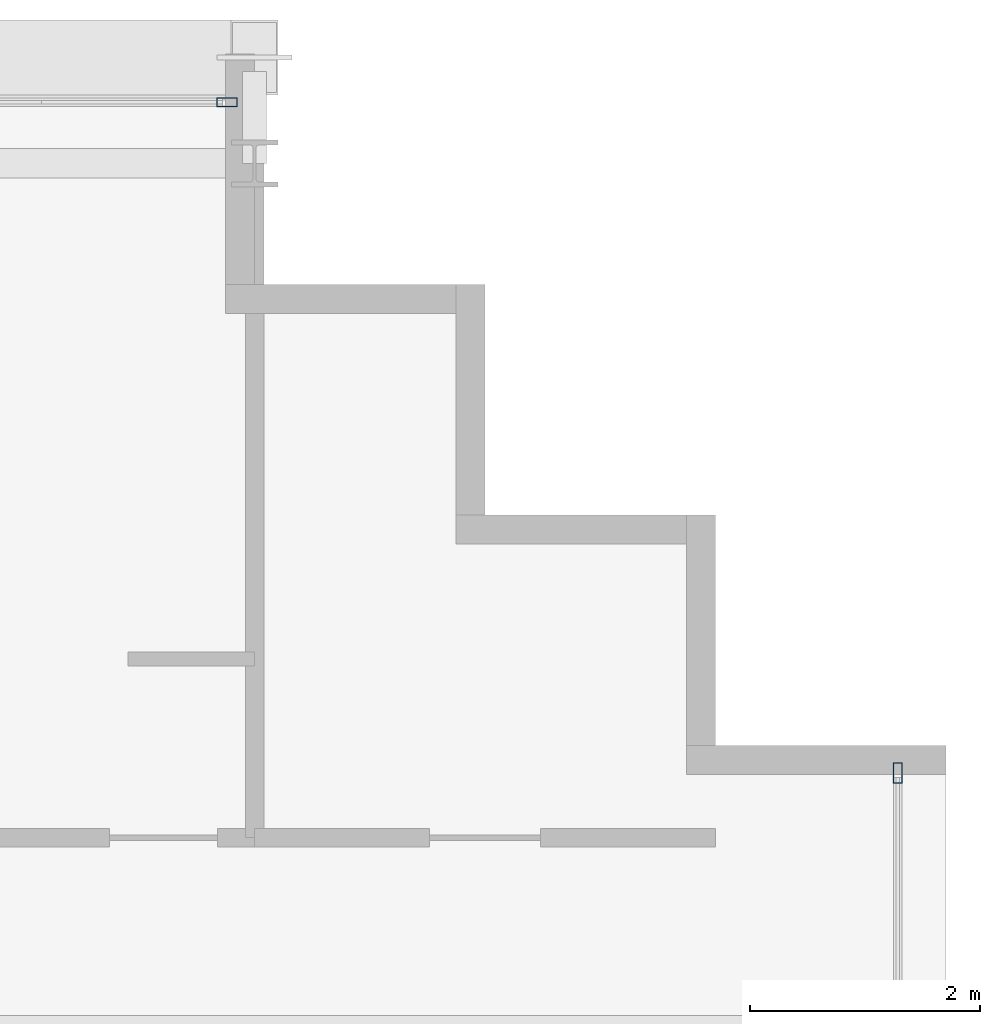
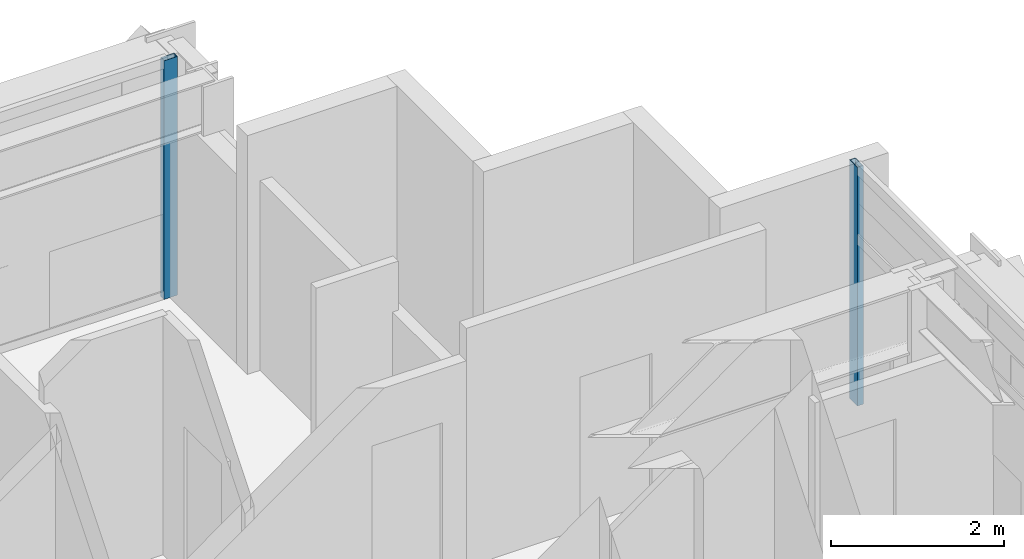
# One storey, part 23 of 38: 2 members, 2 elements without a shape of their own.
"""IFC4 building model written with IfcOpenShell, lengths in metres."""

from ifc_helpers import new_model, si_unit, direction, frame, origin, origin_2d, place, context, subcontext, project, spatial, hollow_rectangle, extrude, source, transform, mapped, material, layer, layer_set, material_profile, profile_set, type_object, element, aggregate, save


model = new_model("IFC4")

# Units and contexts
model_context = context("Model", 3, precision=1e-05, world=origin(), true_north=direction((0.0, 1.0)))
body_context = subcontext(model_context, "Body", "Model", "MODEL_VIEW")
ifc_project = project(units=[si_unit("LENGTHUNIT", "METRE"), si_unit("AREAUNIT", "SQUARE_METRE"), si_unit("VOLUMEUNIT", "CUBIC_METRE"), si_unit("PLANEANGLEUNIT", "RADIAN"), si_unit("MASSUNIT", "GRAM", prefix="KILO")], contexts=[model_context])

# Site, building, storey
site_placement = place(None, origin())
site = spatial("IfcSite", under=ifc_project, at=site_placement, CompositionType="ELEMENT")
building_placement = place(site_placement, origin())
building = spatial("IfcBuilding", under=site, at=building_placement, Name="Ocotamira Hotel", CompositionType="ELEMENT")
storey_placement = place(building_placement, frame((0.0, 0.0, 170.39990234375)))
storey = spatial("IfcBuildingStorey", under=building, at=storey_placement, Name="L42", CompositionType="ELEMENT", Elevation=170.39990234375)

# Curtain wall, member
ifc_material_1 = material(Name="Anodised pale-metal aluminium and solar glass", Category="aluminium")
ifc_layer = layer(ifc_material_1, 0.199951171875)
ifc_layer_set = layer_set([ifc_layer], Name="Anodised pale-metal aluminium and solar glass")
curtain_wall_type = type_object("IfcCurtainWallType", Name="CW-SYS4-Z3", PredefinedType="NOTDEFINED", material=ifc_layer_set)
curtain_wall_1_placement = place(storey_placement, origin())
curtain_wall_1 = element("IfcCurtainWall", 1, at=curtain_wall_1_placement, inside=storey, type_object=curtain_wall_type, Name="L42 Curtain Wall CW-4 CW-L42-N", PredefinedType="NOTDEFINED")
ifc_material_2 = material(Name="Anodised pale-metal aluminium 6063-T6", Category="aluminium")
ifc_material_profile = material_profile(ifc_material_2, hollow_rectangle(XDim=0.080078125, YDim=0.179931640625, WallThickness=0.006103515625, at=origin_2d()), Name="HSS180X80X6")
ifc_profile_set = profile_set([ifc_material_profile], Name="Anodised pale-metal aluminium 6063-T6")
member_type = type_object("IfcMemberType", Name="CWM-180X75", PredefinedType="MULLION", material=ifc_profile_set)
shared_shape = source(origin(), body_context, "Body", "SweptSolid", [
    extrude(hollow_rectangle(XDim=0.080078125, YDim=0.179931640625, WallThickness=0.006103515625, at=origin_2d()), origin(), (0.0, 0.0, 1.0), 3.3701171875),
])
member_1_placement = place(storey_placement, frame((49.760009765625, 45.580078125, 0.0), z_axis=(0.0, 0.0, 1.0), x_axis=(0.0, 1.0, 0.0)))
member_1 = element("IfcMember", 2, at=member_1_placement, type_object=member_type, Name="CW-4 mullion 10", PredefinedType="MULLION", context=body_context, shape_type="MappedRepresentation", body=[
    mapped(shared_shape, transform((0.0, 0.0, 0.0), scale=1.0)),
])
aggregate(curtain_wall_1, [member_1])

curtain_wall_2_placement = place(storey_placement, origin())
curtain_wall_2 = element("IfcCurtainWall", 3, at=curtain_wall_2_placement, inside=storey, type_object=curtain_wall_type, Name="L42 Curtain Wall CW-4 CW-L42-E", PredefinedType="NOTDEFINED")
member_2_placement = place(storey_placement, frame((55.580078125, 39.760009765625, 0.0), z_axis=(0.0, 0.0, 1.0), x_axis=(-1.0, 0.0, 0.0)))
member_2 = element("IfcMember", 4, at=member_2_placement, type_object=member_type, Name="CW-4 mullion 6", PredefinedType="MULLION", context=body_context, shape_type="MappedRepresentation", body=[
    mapped(shared_shape, transform((0.0, 0.0, 0.0), scale=1.0)),
])
aggregate(curtain_wall_2, [member_2])

save(model, "model.ifc")
